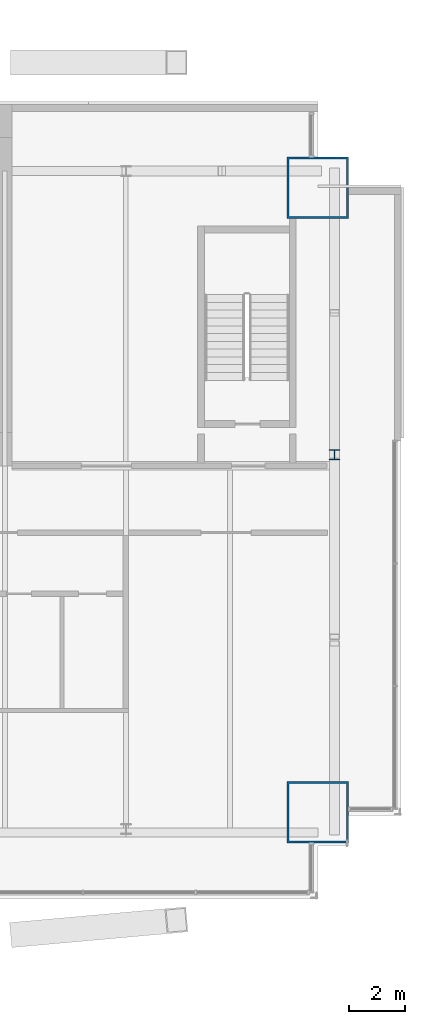
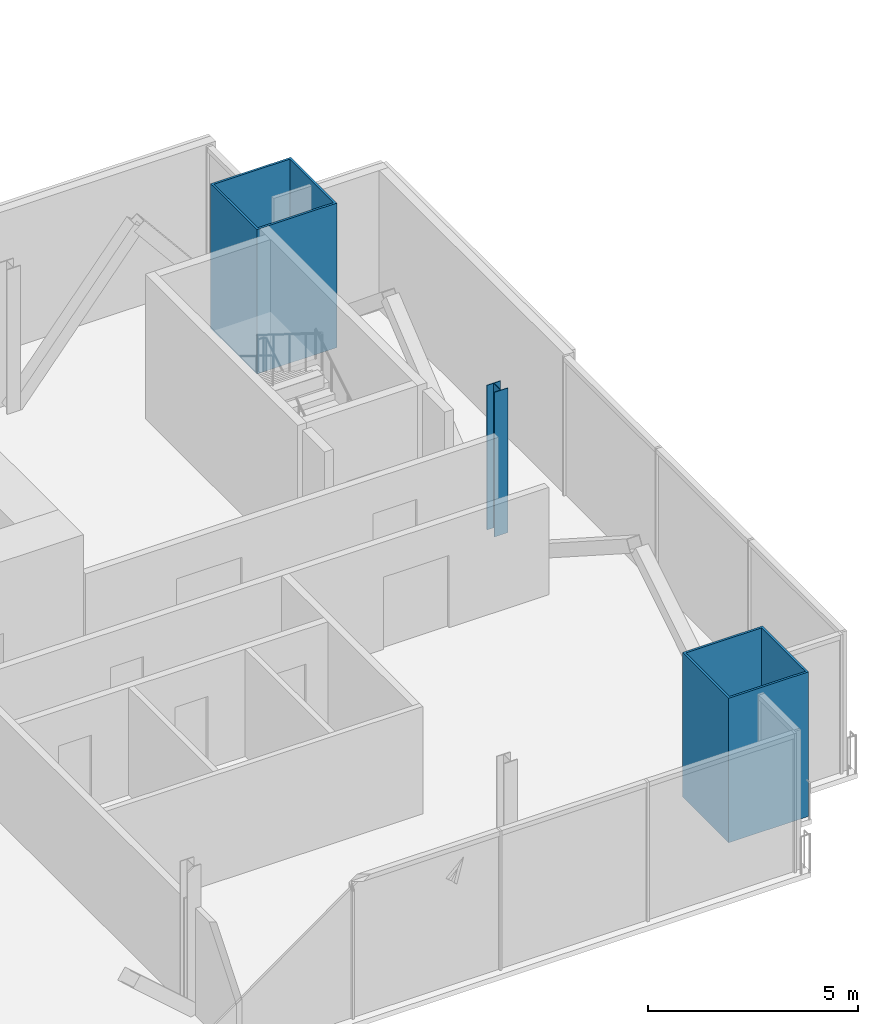
# One storey, part 4 of 19: 3 columns.
"""IFC4 building model written with IfcOpenShell, lengths in metres."""

from ifc_helpers import new_model, si_unit, direction, frame, origin, origin_2d, place, context, subcontext, project, spatial, hollow_rectangle, i_section, extrude, material, material_profile, profile_set, type_object, element, save


model = new_model("IFC4")

# Units and contexts
model_context = context("Model", 3, precision=1e-05, world=origin(), true_north=direction((0.0, 1.0)))
body_context = subcontext(model_context, "Body", "Model", "MODEL_VIEW")
ifc_project = project(units=[si_unit("LENGTHUNIT", "METRE"), si_unit("AREAUNIT", "SQUARE_METRE"), si_unit("VOLUMEUNIT", "CUBIC_METRE"), si_unit("PLANEANGLEUNIT", "RADIAN"), si_unit("MASSUNIT", "GRAM", prefix="KILO")], contexts=[model_context])

# Site, building, storey
site_placement = place(None, origin())
site = spatial("IfcSite", under=ifc_project, at=site_placement, CompositionType="ELEMENT")
building_placement = place(site_placement, origin())
building = spatial("IfcBuilding", under=site, at=building_placement, Name="Bicima Exchange Tower", CompositionType="ELEMENT")
storey_placement = place(building_placement, frame((0.0, 0.0, 270.800048828125)))
storey = spatial("IfcBuildingStorey", under=building, at=storey_placement, Name="L61", CompositionType="ELEMENT", Elevation=270.800048828125)

# Columns
ifc_material_1 = material(Name="Steel ASTM A572 Gr 50", Category="steel")
ifc_material_profile_1 = material_profile(ifc_material_1, hollow_rectangle(XDim=2.199951171875, YDim=2.199951171875, WallThickness=0.06005859375, at=origin_2d()))
ifc_profile_set_1 = profile_set([ifc_material_profile_1], Name="Steel ASTM A572 Gr 50")
column_type_1 = type_object("IfcColumnType", Name="Mega column BOX 2200x2200x60", PredefinedType="COLUMN", material=ifc_profile_set_1)
for number, where, z_axis, x_axis, name in (
    (1, (33.0, -25.4580078125, 0.0), (0.0, 0.0, 1.0), (1.0, 0.0, 0.0), "Mega column mega+33.0f"),
    (2, (33.0, -3.0, 0.0), (0.0, 0.0, 1.0), (1.0, 0.0, 0.0), "Mega column mega+33.0r"),
):
    element("IfcColumn", number, at=place(storey_placement, frame(where, z_axis=z_axis, x_axis=x_axis)), inside=storey, type_object=column_type_1, Name=name, PredefinedType="COLUMN", context=body_context, shape_type="SweptSolid", body=[
        extrude(hollow_rectangle(XDim=2.199951171875, YDim=2.199951171875, WallThickness=0.06005859375, at=origin_2d()), origin(), (0.0, 0.0, 1.0), 4.199951171875),
    ])
ifc_material_2 = material(Name="Steel ASTM A992 Gr 50", Category="steel")
ifc_material_profile_2 = material_profile(ifc_material_2, i_section(OverallWidth=0.370849609375, OverallDepth=0.36328125, WebThickness=0.013427734375, FlangeThickness=0.021728515625, at=origin_2d()))
ifc_profile_set_2 = profile_set([ifc_material_profile_2], Name="Steel ASTM A992 Gr 50")
column_type_2 = type_object("IfcColumnType", Name="Perimeter column W14x109", PredefinedType="COLUMN", material=ifc_profile_set_2)
column_placement = place(storey_placement, frame((33.60009765625, -12.60009765625, 0.0), z_axis=(0.0, 0.0, 1.0), x_axis=(1.0, 0.0, 0.0)))
element("IfcColumn", 3, at=column_placement, inside=storey, type_object=column_type_2, Name="End column end+33.6e", PredefinedType="COLUMN", context=body_context, shape_type="SweptSolid", body=[
    extrude(i_section(OverallWidth=0.370849609375, OverallDepth=0.36328125, WebThickness=0.013427734375, FlangeThickness=0.021728515625, at=origin_2d()), origin(), (0.0, 0.0, 1.0), 4.199951171875),
])

save(model, "model.ifc")
